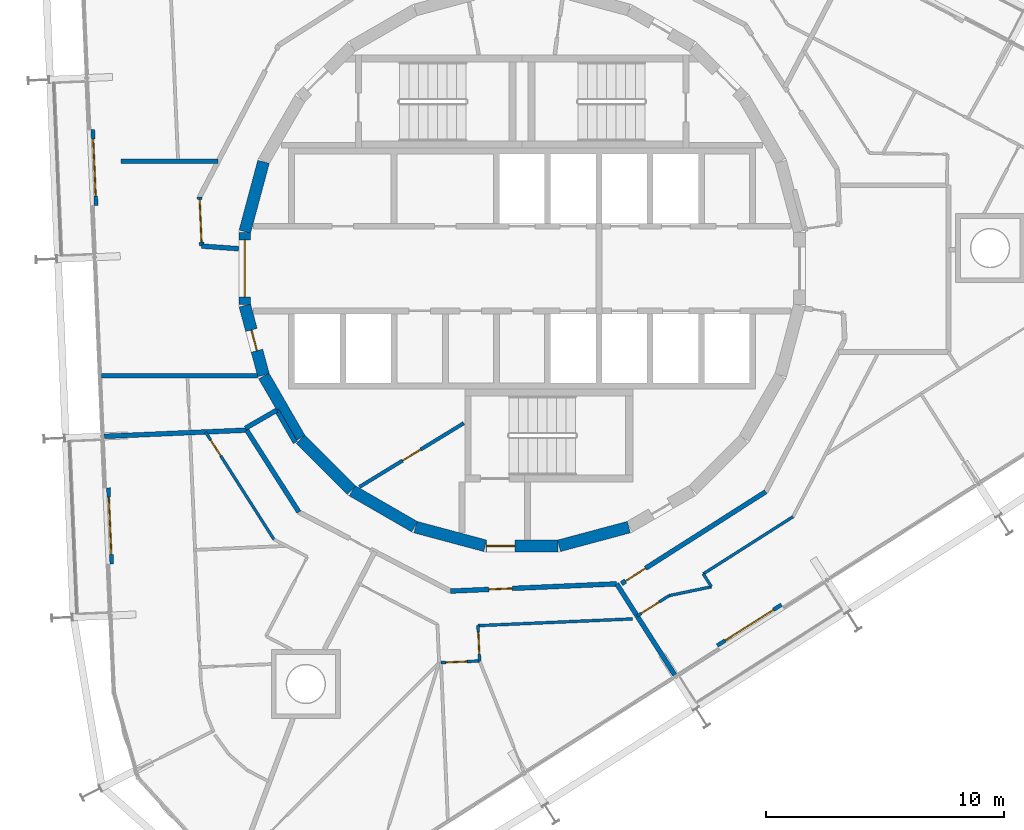
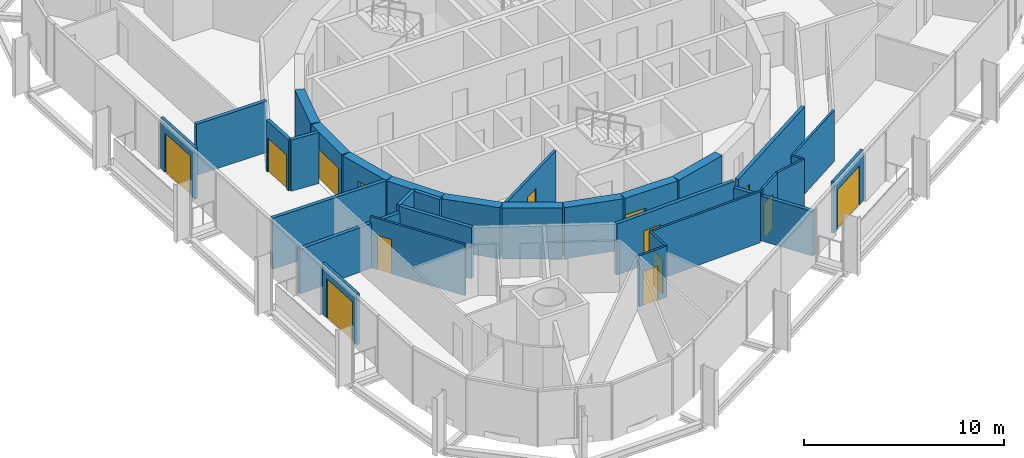
# One storey, part 12 of 17: 32 walls, 14 doors, 14 openings.
"""IFC4 building model written with IfcOpenShell, lengths in metres."""

from ifc_helpers import new_model, si_unit, direction, frame, frame_2d, origin, place, context, subcontext, project, spatial, rectangle, extrude, material, layer, layer_set, type_object, element, fill, save


model = new_model("IFC4")

# Units and contexts
model_context = context("Model", 3, precision=1e-05, world=origin(), true_north=direction((0.0, 1.0)))
body_context = subcontext(model_context, "Body", "Model", "MODEL_VIEW")
ifc_project = project(units=[si_unit("LENGTHUNIT", "METRE"), si_unit("AREAUNIT", "SQUARE_METRE"), si_unit("VOLUMEUNIT", "CUBIC_METRE"), si_unit("PLANEANGLEUNIT", "RADIAN"), si_unit("MASSUNIT", "GRAM", prefix="KILO")], contexts=[model_context])

# Site, building, storey
site_placement = place(None, origin())
site = spatial("IfcSite", under=ifc_project, at=site_placement, CompositionType="ELEMENT")
building_placement = place(site_placement, origin())
building = spatial("IfcBuilding", under=site, at=building_placement, Name="Spindle Arch Residences", CompositionType="ELEMENT")
storey_placement = place(building_placement, frame((0.0, 0.0, 244.199951171875)))
storey = spatial("IfcBuildingStorey", under=building, at=storey_placement, Name="L62", CompositionType="ELEMENT", Elevation=244.199951171875)

# Walls
ifc_material_1 = material(Name="Concrete C50/60", Category="concrete")
ifc_layer_1 = layer(ifc_material_1, 0.5)
ifc_layer_set_1 = layer_set([ifc_layer_1], Name="Core outline wall 500")
wall_type_1 = type_object("IfcWallType", Name="Core outline wall 500", PredefinedType="SHEAR", material=ifc_layer_set_1)
for number, where, z_axis, x_axis, name in (
    (1, (1.5498046875, -11.642822265625, 0.0), (0.0, 0.0, 1.0), (0.965948410781, 0.258734743916, 0.0), "Core outline wall 1"),
    (2, (-10.858154296875, 4.479248046875, 0.0), (0.0, 0.0, 1.0), (-0.258734743916, -0.965948410781, 0.0), "Core outline wall 17"),
):
    element("IfcWall", number, at=place(storey_placement, frame(where, z_axis=z_axis, x_axis=x_axis)), inside=storey, type_object=wall_type_1, Name=name, PredefinedType="SHEAR", context=body_context, shape_type="SweptSolid", body=[
        extrude(rectangle(XDim=3.03271484375, YDim=0.5, at=frame_2d((1.516357421875, 0.0))), origin(), (0.0, 0.0, 1.0), 3.1201171875),
    ])

# Wall, opening, door
wall_1_placement = place(storey_placement, frame((-11.647216796875, 1.516357421875, 0.0), z_axis=(0.0, 0.0, 1.0), x_axis=(0.0, -1.0, 0.0)))
wall_1 = element("IfcWall", 3, at=wall_1_placement, inside=storey, type_object=wall_type_1, Name="Core outline wall 18", PredefinedType="SHEAR", context=body_context, shape_type="SweptSolid", body=[
    extrude(rectangle(XDim=3.03271484375, YDim=0.5, at=frame_2d((1.516357421875, 0.0))), origin(), (0.0, 0.0, 1.0), 3.1201171875),
])
opening_1_placement = place(wall_1_placement, frame((0.31640625, 0.0, 0.0)))
opening_1 = element("IfcOpeningElement", 4, at=opening_1_placement, cuts=wall_1, Name="Opening R6B1-LE01", PredefinedType="OPENING", context=body_context, shape_type="SweptSolid", body=[
    extrude(rectangle(XDim=2.39990234375, YDim=2.10009765625, at=frame_2d((1.199951171875, 1.050048828125))), frame((0.0, 0.260009765625, 0.0), z_axis=(0.0, -1.0, 0.0), x_axis=(1.0, 0.0, 0.0)), (0.0, 0.0, 1.0), 0.52001953125),
])
ifc_material_2 = material(Name="Steel, fire-resisting door", Category="steel")
door_type_1 = type_object("IfcDoorType", Name="Lift lobby entrance door 2400x2100", OperationType="DOUBLE_DOOR_SINGLE_SWING", PredefinedType="DOOR", material=ifc_material_2)
door_1_placement = place(opening_1_placement, origin())
door_1 = element("IfcDoor", 5, at=door_1_placement, inside=storey, type_object=door_type_1, Name="Lift lobby entrance door R6B1-LE01", OperationType="DOUBLE_DOOR_SINGLE_SWING", OverallHeight=2.10009765625, OverallWidth=2.39990234375, PredefinedType="DOOR", context=body_context, shape_type="SweptSolid", body=[
    extrude(rectangle(XDim=2.39990234375, YDim=2.10009765625, at=frame_2d((1.199951171875, 1.050048828125))), frame((0.0, 0.02490234375, 0.0), z_axis=(0.0, -1.0, 0.0), x_axis=(1.0, 0.0, 0.0)), (0.0, 0.0, 1.0), 0.050048828125),
])
fill(opening_1, door_1)

wall_2_placement = place(storey_placement, frame((-11.642822265625, -1.5498046875, 0.0), z_axis=(0.0, 0.0, 1.0), x_axis=(0.258734743916, -0.965948410781, 0.0)))
wall_2 = element("IfcWall", 6, at=wall_2_placement, inside=storey, type_object=wall_type_1, Name="Core outline wall 19", PredefinedType="SHEAR", context=body_context, shape_type="SweptSolid", body=[
    extrude(rectangle(XDim=3.03271484375, YDim=0.5, at=frame_2d((1.516357421875, 0.0))), origin(), (0.0, 0.0, 1.0), 3.1201171875),
])
opening_2_placement = place(wall_2_placement, frame((1.06640625, 0.0, 0.0)))
opening_2 = element("IfcOpeningElement", 7, at=opening_2_placement, cuts=wall_2, Name="Opening R6B1-WD11", PredefinedType="OPENING", context=body_context, shape_type="SweptSolid", body=[
    extrude(rectangle(XDim=0.89990234375, YDim=2.10009765625, at=frame_2d((0.449951171875, 1.050048828125))), frame((0.0, 0.260009765625, 0.0), z_axis=(0.0, -1.0, 0.0), x_axis=(1.0, 0.0, 0.0)), (0.0, 0.0, 1.0), 0.52001953125),
])
ifc_material_3 = material(Name="Steel, fire-resisting door", Category="steel")
door_type_2 = type_object("IfcDoorType", Name="Service room door 900x2100", OperationType="SINGLE_SWING_LEFT", PredefinedType="DOOR", material=ifc_material_3)
door_2_placement = place(opening_2_placement, origin())
door_2 = element("IfcDoor", 8, at=door_2_placement, inside=storey, type_object=door_type_2, Name="Service room door R6B1-WD11", OperationType="SINGLE_SWING_LEFT", OverallHeight=2.10009765625, OverallWidth=0.89990234375, PredefinedType="DOOR", context=body_context, shape_type="SweptSolid", body=[
    extrude(rectangle(XDim=0.89990234375, YDim=2.10009765625, at=frame_2d((0.449951171875, 1.050048828125))), frame((0.0, 0.02490234375, 0.0), z_axis=(0.0, -1.0, 0.0), x_axis=(1.0, 0.0, 0.0)), (0.0, 0.0, 1.0), 0.050048828125),
])
fill(opening_2, door_2)

# Walls
wall_3_placement = place(storey_placement, frame((-10.84521484375, -4.510498046875, 0.0), z_axis=(0.0, 0.0, 1.0), x_axis=(0.500087131594, -0.865975092491, 0.0)))
element("IfcWall", 9, at=wall_3_placement, inside=storey, type_object=wall_type_1, Name="Core outline wall 20", PredefinedType="SHEAR", context=body_context, shape_type="SweptSolid", body=[
    extrude(rectangle(XDim=3.03271484375, YDim=0.5, at=frame_2d((1.516357421875, 0.0))), origin(), (0.0, 0.0, 1.0), 3.1201171875),
])
wall_4_placement = place(storey_placement, frame((-9.30810546875, -7.163818359375, 0.0), z_axis=(0.0, 0.0, 1.0), x_axis=(0.707106781187, -0.707106781187, 0.0)))
element("IfcWall", 10, at=wall_4_placement, inside=storey, type_object=wall_type_1, Name="Core outline wall 21", PredefinedType="SHEAR", context=body_context, shape_type="SweptSolid", body=[
    extrude(rectangle(XDim=3.032470703125, YDim=0.5, at=frame_2d((1.51611328125, 0.0))), origin(), (0.0, 0.0, 1.0), 3.1201171875),
])
for number, where, z_axis, x_axis, name in (
    (11, (-7.13671875, -9.32861328125, 0.0), (0.0, 0.0, 1.0), (0.865975092491, -0.500087131594, 0.0), "Core outline wall 22"),
    (12, (-4.479248046875, -10.858154296875, 0.0), (0.0, 0.0, 1.0), (0.965948410781, -0.258734743916, 0.0), "Core outline wall 23"),
):
    element("IfcWall", number, at=place(storey_placement, frame(where, z_axis=z_axis, x_axis=x_axis)), inside=storey, type_object=wall_type_1, Name=name, PredefinedType="SHEAR", context=body_context, shape_type="SweptSolid", body=[
        extrude(rectangle(XDim=3.03271484375, YDim=0.5, at=frame_2d((1.516357421875, 0.0))), origin(), (0.0, 0.0, 1.0), 3.1201171875),
    ])

# Wall, opening, door
wall_5_placement = place(storey_placement, frame((-1.516357421875, -11.647216796875, 0.0), z_axis=(0.0, 0.0, 1.0), x_axis=(1.0, 0.0, 0.0)))
wall_5 = element("IfcWall", 13, at=wall_5_placement, inside=storey, type_object=wall_type_1, Name="Core outline wall 24", PredefinedType="SHEAR", context=body_context, shape_type="SweptSolid", body=[
    extrude(rectangle(XDim=3.03271484375, YDim=0.5, at=frame_2d((1.516357421875, 0.0))), origin(), (0.0, 0.0, 1.0), 3.1201171875),
])
opening_3_placement = place(wall_5_placement, frame((0.016357421875, 0.0, 0.0)))
opening_3 = element("IfcOpeningElement", 14, at=opening_3_placement, cuts=wall_5, Name="Opening R6B1-AD03", PredefinedType="OPENING", context=body_context, shape_type="SweptSolid", body=[
    extrude(rectangle(XDim=1.199951171875, YDim=2.10009765625, at=frame_2d((0.60009765625, 1.050048828125))), frame((0.0, 0.260009765625, 0.0), z_axis=(0.0, -1.0, 0.0), x_axis=(1.0, 0.0, 0.0)), (0.0, 0.0, 1.0), 0.52001953125),
])
ifc_material_4 = material(Name="Steel, fire-resisting door", Category="steel")
door_type_3 = type_object("IfcDoorType", Name="Stair airlock door 1200x2100", OperationType="SINGLE_SWING_LEFT", PredefinedType="DOOR", material=ifc_material_4)
door_3_placement = place(opening_3_placement, origin())
door_3 = element("IfcDoor", 15, at=door_3_placement, inside=storey, type_object=door_type_3, Name="Stair airlock door R6B1-AD03", OperationType="SINGLE_SWING_RIGHT", OverallHeight=2.10009765625, OverallWidth=1.199951171875, PredefinedType="DOOR", context=body_context, shape_type="SweptSolid", body=[
    extrude(rectangle(XDim=1.199951171875, YDim=2.10009765625, at=frame_2d((0.60009765625, 1.050048828125))), frame((0.0, 0.02490234375, 0.0), z_axis=(0.0, -1.0, 0.0), x_axis=(1.0, 0.0, 0.0)), (0.0, 0.0, 1.0), 0.050048828125),
])
fill(opening_3, door_3)

# Walls
ifc_material_5 = material(Name="Calcium silicate block, plastered")
ifc_layer_2 = layer(ifc_material_5, 0.199951171875)
ifc_layer_set_2 = layer_set([ifc_layer_2], Name="Corridor wall 200")
wall_type_2 = type_object("IfcWallType", Name="Corridor wall 200", PredefinedType="STANDARD", material=ifc_layer_set_2)
wall_6_placement = place(storey_placement, frame((-10.303466796875, -5.94873046875, 0.0), z_axis=(0.0, 0.0, 1.0), x_axis=(-0.866043382451, -0.499968858743, 0.0)))
element("IfcWall", 16, at=wall_6_placement, inside=storey, type_object=wall_type_2, Name="Corridor wall R6B1-W016", PredefinedType="STANDARD", context=body_context, shape_type="SweptSolid", body=[
    extrude(rectangle(XDim=1.51513671875, YDim=0.199951171875, at=frame_2d((0.757568359375, 0.0))), origin(), (0.0, 0.0, 1.0), 3.1201171875),
])
wall_7_placement = place(storey_placement, frame((-9.520263671875, -7.30517578125, 0.0), z_axis=(0.0, 0.0, 1.0), x_axis=(-0.500028278809, 0.866009076391, 0.0)))
element("IfcWall", 17, at=wall_7_placement, inside=storey, type_object=wall_type_2, Name="Corridor wall R6B1-W017", PredefinedType="STANDARD", context=body_context, shape_type="SweptSolid", body=[
    extrude(rectangle(XDim=1.56640625, YDim=0.199951171875, at=frame_2d((0.783203125, 0.0))), origin(), (0.0, 0.0, 1.0), 3.1201171875),
])
wall_8_placement = place(storey_placement, frame((-11.565185546875, -6.785888671875, 0.0), z_axis=(0.0, 0.0, 1.0), x_axis=(0.537297327359, -0.843392898958, 0.0)))
element("IfcWall", 18, at=wall_8_placement, inside=storey, type_object=wall_type_2, Name="Corridor wall R6B1-W018", PredefinedType="STANDARD", context=body_context, shape_type="SweptSolid", body=[
    extrude(rectangle(XDim=4.081298828125, YDim=0.199951171875, at=frame_2d((2.04052734375, 0.0))), origin(), (0.0, 0.0, 1.0), 3.1201171875),
])

# Wall, opening, door
wall_9_placement = place(storey_placement, frame((-3.002685546875, -13.5439453125, 0.0), z_axis=(0.0, 0.0, 1.0), x_axis=(0.999048221872, 0.043619380718, 0.0)))
wall_9 = element("IfcWall", 19, at=wall_9_placement, inside=storey, type_object=wall_type_2, Name="Corridor wall R6B1-W020", PredefinedType="STANDARD", context=body_context, shape_type="SweptSolid", body=[
    extrude(rectangle(XDim=6.9794921875, YDim=0.199951171875, at=frame_2d((3.48974609375, 0.0))), origin(), (0.0, 0.0, 1.0), 3.1201171875),
])
opening_4_placement = place(wall_9_placement, frame((1.60009765625, 0.0, 0.0)))
opening_4 = element("IfcOpeningElement", 20, at=opening_4_placement, cuts=wall_9, Name="Opening R6B1-FD05", PredefinedType="OPENING", context=body_context, shape_type="SweptSolid", body=[
    extrude(rectangle(XDim=1.0, YDim=2.10009765625, at=frame_2d((0.5, 1.050048828125))), frame((0.0, 0.10986328125, 0.0), z_axis=(0.0, -1.0, 0.0), x_axis=(1.0, 0.0, 0.0)), (0.0, 0.0, 1.0), 0.219970703125),
])
ifc_material_6 = material(Name="Timber, fire-resisting door set", Category="wood")
door_type_4 = type_object("IfcDoorType", Name="Flat entrance door 1000x2100", OperationType="NOTDEFINED", PredefinedType="DOOR", material=ifc_material_6)
door_4_placement = place(opening_4_placement, origin())
door_4 = element("IfcDoor", 21, at=door_4_placement, inside=storey, type_object=door_type_4, Name="Flat entrance door R6B1-FD05", OperationType="SINGLE_SWING_LEFT", OverallHeight=2.10009765625, OverallWidth=1.0, PredefinedType="DOOR", context=body_context, shape_type="SweptSolid", body=[
    extrude(rectangle(XDim=1.0, YDim=2.10009765625, at=frame_2d((0.5, 1.050048828125))), frame((0.0, 0.02490234375, 0.0), z_axis=(0.0, -1.0, 0.0), x_axis=(1.0, 0.0, 0.0)), (0.0, 0.0, 1.0), 0.050048828125),
])
fill(opening_4, door_4)

wall_10_placement = place(storey_placement, frame((4.171630859375, -13.230712890625, 0.0), z_axis=(0.0, 0.0, 1.0), x_axis=(0.843388394728, 0.537304397561, 0.0)))
wall_10 = element("IfcWall", 22, at=wall_10_placement, inside=storey, type_object=wall_type_2, Name="Corridor wall R6B1-W021", PredefinedType="STANDARD", context=body_context, shape_type="SweptSolid", body=[
    extrude(rectangle(XDim=7.180908203125, YDim=0.199951171875, at=frame_2d((3.59033203125, 0.0))), origin(), (0.0, 0.0, 1.0), 3.1201171875),
])
opening_5_placement = place(wall_10_placement, frame((0.199951171875, 0.0, 0.0)))
opening_5 = element("IfcOpeningElement", 23, at=opening_5_placement, cuts=wall_10, Name="Opening R6B1-FD06", PredefinedType="OPENING", context=body_context, shape_type="SweptSolid", body=[
    extrude(rectangle(XDim=1.0, YDim=2.10009765625, at=frame_2d((0.5, 1.050048828125))), frame((0.0, 0.10986328125, 0.0), z_axis=(0.0, -1.0, 0.0), x_axis=(1.0, 0.0, 0.0)), (0.0, 0.0, 1.0), 0.219970703125),
])
door_5_placement = place(opening_5_placement, origin())
door_5 = element("IfcDoor", 24, at=door_5_placement, inside=storey, type_object=door_type_4, Name="Flat entrance door R6B1-FD06", OperationType="SINGLE_SWING_LEFT", OverallHeight=2.10009765625, OverallWidth=1.0, PredefinedType="DOOR", context=body_context, shape_type="SweptSolid", body=[
    extrude(rectangle(XDim=1.0, YDim=2.10009765625, at=frame_2d((0.5, 1.050048828125))), frame((0.0, 0.02490234375, 0.0), z_axis=(0.0, -1.0, 0.0), x_axis=(1.0, 0.0, 0.0)), (0.0, 0.0, 1.0), 0.050048828125),
])
fill(opening_5, door_5)

ifc_material_7 = material(Name="Plasterboard on steel studs", Category="steel")
ifc_layer_3 = layer(ifc_material_7, 0.1201171875)
ifc_layer_set_3 = layer_set([ifc_layer_3], Name="Flat partition 120")
wall_type_3 = type_object("IfcWallType", Name="Flat partition 120", PredefinedType="PARTITIONING", material=ifc_layer_set_3)
wall_11_placement = place(storey_placement, frame((-13.29541015625, -6.861572265625, 0.0), z_axis=(0.0, 0.0, 1.0), x_axis=(0.537285929223, -0.84340016022, 0.0)))
wall_11 = element("IfcWall", 25, at=wall_11_placement, inside=storey, type_object=wall_type_3, Name="Flat partition R6B1-W072", PredefinedType="PARTITIONING", context=body_context, shape_type="SweptSolid", body=[
    extrude(rectangle(XDim=5.34912109375, YDim=0.1201171875, at=frame_2d((2.674560546875, 0.0))), origin(), (0.0, 0.0, 1.0), 3.1201171875),
])
opening_6_placement = place(wall_11_placement, frame((0.39990234375, 0.0, 0.0)))
opening_6 = element("IfcOpeningElement", 26, at=opening_6_placement, cuts=wall_11, Name="Opening R6B1-BD04", PredefinedType="OPENING", context=body_context, shape_type="SweptSolid", body=[
    extrude(rectangle(XDim=0.800048828125, YDim=2.10009765625, at=frame_2d((0.39990234375, 1.050048828125))), frame((0.0, 0.070068359375, 0.0), z_axis=(0.0, -1.0, 0.0), x_axis=(1.0, 0.0, 0.0)), (0.0, 0.0, 1.0), 0.14013671875),
])
ifc_material_8 = material(Name="Timber door set", Category="wood")
door_type_5 = type_object("IfcDoorType", Name="Bathroom door 800x2100", OperationType="NOTDEFINED", PredefinedType="DOOR", material=ifc_material_8)
door_6_placement = place(opening_6_placement, origin())
door_6 = element("IfcDoor", 27, at=door_6_placement, inside=storey, type_object=door_type_5, Name="Bathroom door R6B1-BD04", OperationType="SINGLE_SWING_RIGHT", OverallHeight=2.10009765625, OverallWidth=0.800048828125, PredefinedType="DOOR", context=body_context, shape_type="SweptSolid", body=[
    extrude(rectangle(XDim=0.800048828125, YDim=2.10009765625, at=frame_2d((0.39990234375, 1.050048828125))), frame((0.0, 0.02490234375, 0.0), z_axis=(0.0, -1.0, 0.0), x_axis=(1.0, 0.0, 0.0)), (0.0, 0.0, 1.0), 0.050048828125),
])
fill(opening_6, door_6)

wall_12_placement = place(storey_placement, frame((-3.40673828125, -16.54833984375, 0.0), z_axis=(0.0, 0.0, 1.0), x_axis=(0.999045901572, 0.043672491929, 0.0)))
wall_12 = element("IfcWall", 28, at=wall_12_placement, inside=storey, type_object=wall_type_3, Name="Flat partition R6B1-W086", PredefinedType="PARTITIONING", context=body_context, shape_type="SweptSolid", body=[
    extrude(rectangle(XDim=1.62109375, YDim=0.1201171875, at=frame_2d((0.810546875, 0.0))), origin(), (0.0, 0.0, 1.0), 3.1201171875),
])
opening_7_placement = place(wall_12_placement, frame((0.199951171875, 0.0, 0.0)))
opening_7 = element("IfcOpeningElement", 29, at=opening_7_placement, cuts=wall_12, Name="Opening R6B1-ID19", PredefinedType="OPENING", context=body_context, shape_type="SweptSolid", body=[
    extrude(rectangle(XDim=0.89990234375, YDim=2.10009765625, at=frame_2d((0.449951171875, 1.050048828125))), frame((0.0, 0.070068359375, 0.0), z_axis=(0.0, -1.0, 0.0), x_axis=(1.0, 0.0, 0.0)), (0.0, 0.0, 1.0), 0.14013671875),
])
ifc_material_9 = material(Name="Timber door set", Category="wood")
door_type_6 = type_object("IfcDoorType", Name="Room door 900x2100", OperationType="NOTDEFINED", PredefinedType="DOOR", material=ifc_material_9)
door_7_placement = place(opening_7_placement, origin())
door_7 = element("IfcDoor", 30, at=door_7_placement, inside=storey, type_object=door_type_6, Name="Room door R6B1-ID19", OperationType="SINGLE_SWING_LEFT", OverallHeight=2.10009765625, OverallWidth=0.89990234375, PredefinedType="DOOR", context=body_context, shape_type="SweptSolid", body=[
    extrude(rectangle(XDim=0.89990234375, YDim=2.10009765625, at=frame_2d((0.449951171875, 1.050048828125))), frame((0.0, 0.02490234375, 0.0), z_axis=(0.0, -1.0, 0.0), x_axis=(1.0, 0.0, 0.0)), (0.0, 0.0, 1.0), 0.050048828125),
])
fill(opening_7, door_7)

wall_13_placement = place(storey_placement, frame((-1.787109375, -16.4775390625, 0.0), z_axis=(0.0, 0.0, 1.0), x_axis=(-0.043601447011, 0.999049004713, 0.0)))
wall_13 = element("IfcWall", 31, at=wall_13_placement, inside=storey, type_object=wall_type_3, Name="Flat partition R6B1-W087", PredefinedType="PARTITIONING", context=body_context, shape_type="SweptSolid", body=[
    extrude(rectangle(XDim=1.48388671875, YDim=0.1201171875, at=frame_2d((0.741943359375, 0.0))), origin(), (0.0, 0.0, 1.0), 3.1201171875),
])
opening_8_placement = place(wall_13_placement, frame((0.300048828125, 0.0, 0.0)))
opening_8 = element("IfcOpeningElement", 32, at=opening_8_placement, cuts=wall_13, Name="Opening R6B1-ID20", PredefinedType="OPENING", context=body_context, shape_type="SweptSolid", body=[
    extrude(rectangle(XDim=0.89990234375, YDim=2.10009765625, at=frame_2d((0.449951171875, 1.050048828125))), frame((0.0, 0.070068359375, 0.0), z_axis=(0.0, -1.0, 0.0), x_axis=(1.0, 0.0, 0.0)), (0.0, 0.0, 1.0), 0.14013671875),
])
door_8_placement = place(opening_8_placement, origin())
door_8 = element("IfcDoor", 33, at=door_8_placement, inside=storey, type_object=door_type_6, Name="Room door R6B1-ID20", OperationType="SINGLE_SWING_LEFT", OverallHeight=2.10009765625, OverallWidth=0.89990234375, PredefinedType="DOOR", context=body_context, shape_type="SweptSolid", body=[
    extrude(rectangle(XDim=0.89990234375, YDim=2.10009765625, at=frame_2d((0.449951171875, 1.050048828125))), frame((0.0, 0.02490234375, 0.0), z_axis=(0.0, -1.0, 0.0), x_axis=(1.0, 0.0, 0.0)), (0.0, 0.0, 1.0), 0.050048828125),
])
fill(opening_8, door_8)

# Wall
wall_14_placement = place(storey_placement, frame((-1.851806640625, -14.9951171875, 0.0), z_axis=(0.0, 0.0, 1.0), x_axis=(0.999047773092, 0.043629658249, 0.0)))
element("IfcWall", 34, at=wall_14_placement, inside=storey, type_object=wall_type_3, Name="Flat partition R6B1-W088", PredefinedType="PARTITIONING", context=body_context, shape_type="SweptSolid", body=[
    extrude(rectangle(XDim=6.49658203125, YDim=0.1201171875, at=frame_2d((3.248291015625, 0.0))), origin(), (0.0, 0.0, 1.0), 3.1201171875),
])

# Wall, opening, door
wall_15_placement = place(storey_placement, frame((4.830322265625, -14.589599609375, 0.0), z_axis=(0.0, 0.0, 1.0), x_axis=(0.843395898817, 0.537292618467, 0.0)))
wall_15 = element("IfcWall", 35, at=wall_15_placement, inside=storey, type_object=wall_type_3, Name="Flat partition R6B1-W093", PredefinedType="PARTITIONING", context=body_context, shape_type="SweptSolid", body=[
    extrude(rectangle(XDim=1.59033203125, YDim=0.1201171875, at=frame_2d((0.795166015625, 0.0))), origin(), (0.0, 0.0, 1.0), 3.1201171875),
])
opening_9_placement = place(wall_15_placement, frame((0.199951171875, 0.0, 0.0)))
opening_9 = element("IfcOpeningElement", 36, at=opening_9_placement, cuts=wall_15, Name="Opening R6B1-ID23", PredefinedType="OPENING", context=body_context, shape_type="SweptSolid", body=[
    extrude(rectangle(XDim=0.89990234375, YDim=2.10009765625, at=frame_2d((0.449951171875, 1.050048828125))), frame((0.0, 0.070068359375, 0.0), z_axis=(0.0, -1.0, 0.0), x_axis=(1.0, 0.0, 0.0)), (0.0, 0.0, 1.0), 0.14013671875),
])
door_9_placement = place(opening_9_placement, origin())
door_9 = element("IfcDoor", 37, at=door_9_placement, inside=storey, type_object=door_type_6, Name="Room door R6B1-ID23", OperationType="SINGLE_SWING_LEFT", OverallHeight=2.10009765625, OverallWidth=0.89990234375, PredefinedType="DOOR", context=body_context, shape_type="SweptSolid", body=[
    extrude(rectangle(XDim=0.89990234375, YDim=2.10009765625, at=frame_2d((0.449951171875, 1.050048828125))), frame((0.0, 0.02490234375, 0.0), z_axis=(0.0, -1.0, 0.0), x_axis=(1.0, 0.0, 0.0)), (0.0, 0.0, 1.0), 0.050048828125),
])
fill(opening_9, door_9)

# Walls
wall_16_placement = place(storey_placement, frame((6.171630859375, -13.735107421875, 0.0), z_axis=(0.0, 0.0, 1.0), x_axis=(0.978659442958, 0.205488916271, 0.0)))
element("IfcWall", 38, at=wall_16_placement, inside=storey, type_object=wall_type_3, Name="Flat partition R6B1-W094", PredefinedType="PARTITIONING", context=body_context, shape_type="SweptSolid", body=[
    extrude(rectangle(XDim=1.816650390625, YDim=0.1201171875, at=frame_2d((0.908203125, 0.0))), origin(), (0.0, 0.0, 1.0), 3.1201171875),
])
wall_17_placement = place(storey_placement, frame((7.949462890625, -13.36181640625, 0.0), z_axis=(0.0, 0.0, 1.0), x_axis=(-0.537343932066, 0.843363206852, 0.0)))
element("IfcWall", 39, at=wall_17_placement, inside=storey, type_object=wall_type_3, Name="Flat partition R6B1-W095", PredefinedType="PARTITIONING", context=body_context, shape_type="SweptSolid", body=[
    extrude(rectangle(XDim=0.640625, YDim=0.1201171875, at=frame_2d((0.3203125, 0.0))), origin(), (0.0, 0.0, 1.0), 3.1201171875),
])
wall_18_placement = place(storey_placement, frame((7.605224609375, -12.821533203125, 0.0), z_axis=(0.0, 0.0, 1.0), x_axis=(0.843413865585, 0.537264414733, 0.0)))
element("IfcWall", 40, at=wall_18_placement, inside=storey, type_object=wall_type_3, Name="Flat partition R6B1-W096", PredefinedType="PARTITIONING", context=body_context, shape_type="SweptSolid", body=[
    extrude(rectangle(XDim=4.46728515625, YDim=0.1201171875, at=frame_2d((2.233642578125, 0.0))), origin(), (0.0, 0.0, 1.0), 3.1201171875),
])
ifc_material_10 = material(Name="Calcium silicate block, plastered")
ifc_layer_4 = layer(ifc_material_10, 0.199951171875)
ifc_layer_set_4 = layer_set([ifc_layer_4], Name="Flat party wall 200 under beam 2730")
wall_type_4 = type_object("IfcWallType", Name="Flat party wall 200 under beam 2730", PredefinedType="STANDARD", material=ifc_layer_set_4)
wall_19_placement = place(storey_placement, frame((-17.543701171875, -7.047119140625, 0.0), z_axis=(0.0, 0.0, 1.0), x_axis=(0.999046743906, 0.043653218555, 0.0)))
element("IfcWall", 41, at=wall_19_placement, inside=storey, type_object=wall_type_4, Name="Flat party wall R6B1-W033", PredefinedType="STANDARD", context=body_context, shape_type="SweptSolid", body=[
    extrude(rectangle(XDim=5.984130859375, YDim=0.199951171875, at=frame_2d((2.9921875, 0.0))), origin(), (0.0, 0.0, 1.0), 2.72998046875),
])
wall_20_placement = place(storey_placement, frame((6.406982421875, -17.064208984375, 0.0), z_axis=(0.0, 0.0, 1.0), x_axis=(-0.537324777979, 0.843375410461, 0.0)))
element("IfcWall", 42, at=wall_20_placement, inside=storey, type_object=wall_type_4, Name="Flat party wall R6B1-W036", PredefinedType="STANDARD", context=body_context, shape_type="SweptSolid", body=[
    extrude(rectangle(XDim=4.534912109375, YDim=0.199951171875, at=frame_2d((2.267578125, 0.0))), origin(), (0.0, 0.0, 1.0), 2.72998046875),
])

# Wall, opening, door
ifc_material_11 = material(Name="Non-combustible mineral wool insulated aluminium faced external wall (K0)", Category="aluminium")
ifc_layer_5 = layer(ifc_material_11, 0.159912109375)
ifc_layer_set_5 = layer_set([ifc_layer_5], Name="Insulated external wall panel 160")
wall_type_5 = type_object("IfcWallType", Name="Insulated external wall panel 160", PredefinedType="STANDARD", material=ifc_layer_set_5)
wall_21_placement = place(storey_placement, frame((-18.026123046875, 5.83935546875, 0.0), z_axis=(0.0, 0.0, 1.0), x_axis=(0.043563034632, -0.999050680403, 0.0)))
wall_21 = element("IfcWall", 43, at=wall_21_placement, inside=storey, type_object=wall_type_5, Name="External wall L62 bay 14", PredefinedType="STANDARD", context=body_context, shape_type="SweptSolid", body=[
    extrude(rectangle(XDim=3.199951171875, YDim=0.159912109375, at=frame_2d((1.60009765625, 0.0))), origin(), (0.0, 0.0, 1.0), 3.1201171875),
])
opening_10_placement = place(wall_21_placement, frame((0.39990234375, 0.0, 0.0)))
opening_10 = element("IfcOpeningElement", 44, at=opening_10_placement, cuts=wall_21, Name="Opening BD14", PredefinedType="OPENING", context=body_context, shape_type="SweptSolid", body=[
    extrude(rectangle(XDim=2.39990234375, YDim=2.39990234375, at=frame_2d((1.199951171875, 1.199951171875))), frame((0.0, 0.08984375, 0.0), z_axis=(0.0, -1.0, 0.0), x_axis=(1.0, 0.0, 0.0)), (0.0, 0.0, 1.0), 0.179931640625),
])
ifc_material_12 = material(Name="Bronze aluminium frame, tinted double glazing", Category="aluminium")
door_type_7 = type_object("IfcDoorType", Name="Sliding glazed balcony door 2400x2400", OperationType="DOUBLE_DOOR_SLIDING", PredefinedType="DOOR", material=ifc_material_12)
door_10_placement = place(opening_10_placement, origin())
door_10 = element("IfcDoor", 45, at=door_10_placement, inside=storey, type_object=door_type_7, Name="Balcony door BD14", OperationType="DOUBLE_DOOR_SLIDING", OverallHeight=2.39990234375, OverallWidth=2.39990234375, PredefinedType="DOOR", context=body_context, shape_type="SweptSolid", body=[
    extrude(rectangle(XDim=2.39990234375, YDim=2.39990234375, at=frame_2d((1.199951171875, 1.199951171875))), frame((0.0, 0.02490234375, 0.0), z_axis=(0.0, -1.0, 0.0), x_axis=(1.0, 0.0, 0.0)), (0.0, 0.0, 1.0), 0.050048828125),
])
fill(opening_10, door_10)

wall_22_placement = place(storey_placement, frame((-17.369384765625, -9.20654296875, 0.0), z_axis=(0.0, 0.0, 1.0), x_axis=(0.043639181999, -0.999047357133, 0.0)))
wall_22 = element("IfcWall", 46, at=wall_22_placement, inside=storey, type_object=wall_type_5, Name="External wall L62 bay 16", PredefinedType="STANDARD", context=body_context, shape_type="SweptSolid", body=[
    extrude(rectangle(XDim=3.199951171875, YDim=0.159912109375, at=frame_2d((1.60009765625, 0.0))), origin(), (0.0, 0.0, 1.0), 3.1201171875),
])
opening_11_placement = place(wall_22_placement, frame((0.39990234375, 0.0, 0.0)))
opening_11 = element("IfcOpeningElement", 47, at=opening_11_placement, cuts=wall_22, Name="Opening BD16", PredefinedType="OPENING", context=body_context, shape_type="SweptSolid", body=[
    extrude(rectangle(XDim=2.39990234375, YDim=2.39990234375, at=frame_2d((1.199951171875, 1.199951171875))), frame((0.0, 0.08984375, 0.0), z_axis=(0.0, -1.0, 0.0), x_axis=(1.0, 0.0, 0.0)), (0.0, 0.0, 1.0), 0.179931640625),
])
door_11_placement = place(opening_11_placement, origin())
door_11 = element("IfcDoor", 48, at=door_11_placement, inside=storey, type_object=door_type_7, Name="Balcony door BD16", OperationType="DOUBLE_DOOR_SLIDING", OverallHeight=2.39990234375, OverallWidth=2.39990234375, PredefinedType="DOOR", context=body_context, shape_type="SweptSolid", body=[
    extrude(rectangle(XDim=2.39990234375, YDim=2.39990234375, at=frame_2d((1.199951171875, 1.199951171875))), frame((0.0, 0.02490234375, 0.0), z_axis=(0.0, -1.0, 0.0), x_axis=(1.0, 0.0, 0.0)), (0.0, 0.0, 1.0), 0.050048828125),
])
fill(opening_11, door_11)

wall_23_placement = place(storey_placement, frame((8.18994140625, -15.83349609375, 0.0), z_axis=(0.0, 0.0, 1.0), x_axis=(0.843419508298, 0.53725555653, 0.0)))
wall_23 = element("IfcWall", 49, at=wall_23_placement, inside=storey, type_object=wall_type_5, Name="External wall L62 bay 22", PredefinedType="STANDARD", context=body_context, shape_type="SweptSolid", body=[
    extrude(rectangle(XDim=3.199951171875, YDim=0.159912109375, at=frame_2d((1.60009765625, 0.0))), origin(), (0.0, 0.0, 1.0), 3.1201171875),
])
opening_12_placement = place(wall_23_placement, frame((0.39990234375, 0.0, 0.0)))
opening_12 = element("IfcOpeningElement", 50, at=opening_12_placement, cuts=wall_23, Name="Opening BD22", PredefinedType="OPENING", context=body_context, shape_type="SweptSolid", body=[
    extrude(rectangle(XDim=2.39990234375, YDim=2.39990234375, at=frame_2d((1.199951171875, 1.199951171875))), frame((0.0, 0.08984375, 0.0), z_axis=(0.0, -1.0, 0.0), x_axis=(1.0, 0.0, 0.0)), (0.0, 0.0, 1.0), 0.179931640625),
])
door_12_placement = place(opening_12_placement, origin())
door_12 = element("IfcDoor", 51, at=door_12_placement, inside=storey, type_object=door_type_7, Name="Balcony door BD22", OperationType="DOUBLE_DOOR_SLIDING", OverallHeight=2.39990234375, OverallWidth=2.39990234375, PredefinedType="DOOR", context=body_context, shape_type="SweptSolid", body=[
    extrude(rectangle(XDim=2.39990234375, YDim=2.39990234375, at=frame_2d((1.199951171875, 1.199951171875))), frame((0.0, 0.02490234375, 0.0), z_axis=(0.0, -1.0, 0.0), x_axis=(1.0, 0.0, 0.0)), (0.0, 0.0, 1.0), 0.050048828125),
])
fill(opening_12, door_12)

ifc_material_13 = material(Name="Calcium silicate block, plastered")
ifc_layer_6 = layer(ifc_material_13, 0.199951171875)
ifc_layer_set_6 = layer_set([ifc_layer_6], Name="Lift lobby bay wall 200")
wall_type_6 = type_object("IfcWallType", Name="Lift lobby bay wall 200", PredefinedType="STANDARD", material=ifc_layer_set_6)
wall_24_placement = place(storey_placement, frame((-13.5439453125, 3.002685546875, 0.0), z_axis=(0.0, 0.0, 1.0), x_axis=(0.043652842459, -0.99904676034, 0.0)))
wall_24 = element("IfcWall", 52, at=wall_24_placement, inside=storey, type_object=wall_type_6, Name="Lift lobby bay wall R6B1-W008", PredefinedType="STANDARD", context=body_context, shape_type="SweptSolid", body=[
    extrude(rectangle(XDim=2.063720703125, YDim=0.199951171875, at=frame_2d((1.03173828125, 0.0))), origin(), (0.0, 0.0, 1.0), 3.1201171875),
])
opening_13_placement = place(wall_24_placement, frame((0.10009765625, 0.0, 0.0)))
opening_13 = element("IfcOpeningElement", 53, at=opening_13_placement, cuts=wall_24, Name="Opening R6B1-LB01", PredefinedType="OPENING", context=body_context, shape_type="SweptSolid", body=[
    extrude(rectangle(XDim=1.800048828125, YDim=2.10009765625, at=frame_2d((0.89990234375, 1.050048828125))), frame((0.0, 0.10986328125, 0.0), z_axis=(0.0, -1.0, 0.0), x_axis=(1.0, 0.0, 0.0)), (0.0, 0.0, 1.0), 0.219970703125),
])
ifc_material_14 = material(Name="Steel, fire-resisting door", Category="steel")
door_type_8 = type_object("IfcDoorType", Name="Lift lobby bay door 1800x2100", OperationType="NOTDEFINED", PredefinedType="DOOR", material=ifc_material_14)
door_13_placement = place(opening_13_placement, origin())
door_13 = element("IfcDoor", 54, at=door_13_placement, inside=storey, type_object=door_type_8, Name="Lift lobby bay door R6B1-LB01", OperationType="DOUBLE_DOOR_SINGLE_SWING", OverallHeight=2.10009765625, OverallWidth=1.800048828125, PredefinedType="DOOR", context=body_context, shape_type="SweptSolid", body=[
    extrude(rectangle(XDim=1.800048828125, YDim=2.10009765625, at=frame_2d((0.89990234375, 1.050048828125))), frame((0.0, 0.02490234375, 0.0), z_axis=(0.0, -1.0, 0.0), x_axis=(1.0, 0.0, 0.0)), (0.0, 0.0, 1.0), 0.050048828125),
])
fill(opening_13, door_13)

# Walls
wall_25_placement = place(storey_placement, frame((-13.453857421875, 0.94091796875, 0.0), z_axis=(0.0, 0.0, 1.0), x_axis=(0.99755155062, -0.069934997354, 0.0)))
element("IfcWall", 55, at=wall_25_placement, inside=storey, type_object=wall_type_6, Name="Lift lobby bay wall R6B1-W009", PredefinedType="STANDARD", context=body_context, shape_type="SweptSolid", body=[
    extrude(rectangle(XDim=1.560546875, YDim=0.199951171875, at=frame_2d((0.7802734375, 0.0))), origin(), (0.0, 0.0, 1.0), 3.1201171875),
])
wall_26_placement = place(storey_placement, frame((-12.764404296875, 4.5, 0.0), z_axis=(0.0, 0.0, 1.0), x_axis=(-1.0, 0.0, 0.0)))
element("IfcWall", 56, at=wall_26_placement, inside=storey, type_object=wall_type_6, Name="Lift lobby bay wall R6B1-W022", PredefinedType="STANDARD", context=body_context, shape_type="SweptSolid", body=[
    extrude(rectangle(XDim=4.085693359375, YDim=0.199951171875, at=frame_2d((2.04296875, 0.0))), origin(), (0.0, 0.0, 1.0), 3.1201171875),
])
wall_27_placement = place(storey_placement, frame((-17.65478515625, -4.5, 0.0), z_axis=(0.0, 0.0, 1.0), x_axis=(1.0, 0.0, 0.0)))
element("IfcWall", 57, at=wall_27_placement, inside=storey, type_object=wall_type_6, Name="Lift lobby bay wall R6B1-W023", PredefinedType="STANDARD", context=body_context, shape_type="SweptSolid", body=[
    extrude(rectangle(XDim=6.54345703125, YDim=0.199951171875, at=frame_2d((3.271728515625, 0.0))), origin(), (0.0, 0.0, 1.0), 3.1201171875),
])

# Wall, opening, door
ifc_material_15 = material(Name="Concrete C25/30", Category="concrete")
ifc_layer_7 = layer(ifc_material_15, 0.14990234375)
ifc_layer_set_7 = layer_set([ifc_layer_7], Name="Service room partition 150")
wall_type_7 = type_object("IfcWallType", Name="Service room partition 150", PredefinedType="PARTITIONING", material=ifc_layer_set_7)
wall_28_placement = place(storey_placement, frame((-2.451171875, -6.49462890625, 0.0), z_axis=(0.0, 0.0, 1.0), x_axis=(-0.853250115418, -0.521501908471, 0.0)))
wall_28 = element("IfcWall", 58, at=wall_28_placement, inside=storey, type_object=wall_type_7, Name="Core service room partition", PredefinedType="PARTITIONING", context=body_context, shape_type="SweptSolid", body=[
    extrude(rectangle(XDim=5.137451171875, YDim=0.14990234375, at=frame_2d((2.56884765625, 0.0))), origin(), (0.0, 0.0, 1.0), 3.1201171875),
])
opening_14_placement = place(wall_28_placement, frame((2.11865234375, 0.0, 0.0)))
opening_14 = element("IfcOpeningElement", 59, at=opening_14_placement, cuts=wall_28, Name="Opening R6B1-WD07", PredefinedType="OPENING", context=body_context, shape_type="SweptSolid", body=[
    extrude(rectangle(XDim=0.89990234375, YDim=2.10009765625, at=frame_2d((0.449951171875, 1.050048828125))), frame((0.0, 0.0849609375, 0.0), z_axis=(0.0, -1.0, 0.0), x_axis=(1.0, 0.0, 0.0)), (0.0, 0.0, 1.0), 0.169921875),
])
door_14_placement = place(opening_14_placement, origin())
door_14 = element("IfcDoor", 60, at=door_14_placement, inside=storey, type_object=door_type_2, Name="Service room door R6B1-WD07", OperationType="SINGLE_SWING_LEFT", OverallHeight=2.10009765625, OverallWidth=0.89990234375, PredefinedType="DOOR", context=body_context, shape_type="SweptSolid", body=[
    extrude(rectangle(XDim=0.89990234375, YDim=2.10009765625, at=frame_2d((0.449951171875, 1.050048828125))), frame((0.0, 0.02490234375, 0.0), z_axis=(0.0, -1.0, 0.0), x_axis=(1.0, 0.0, 0.0)), (0.0, 0.0, 1.0), 0.050048828125),
])
fill(opening_14, door_14)

save(model, "model.ifc")
